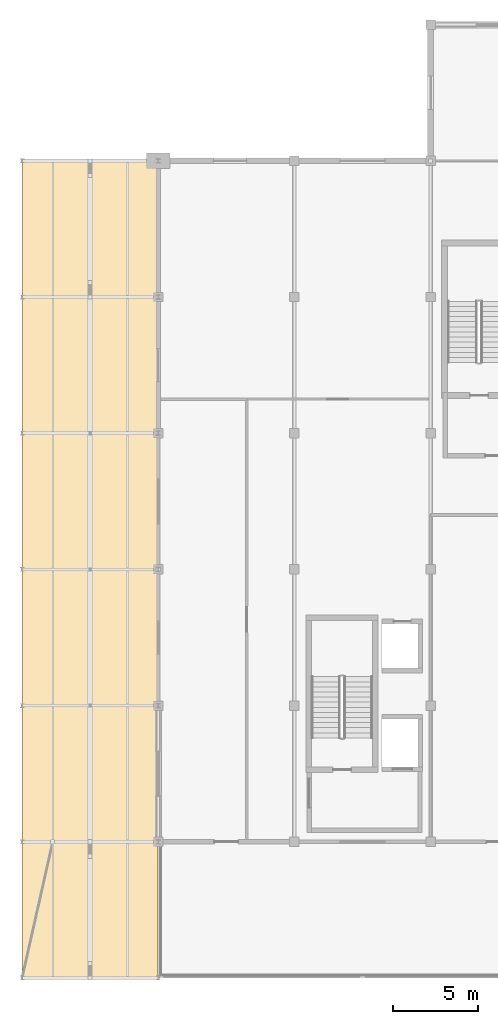
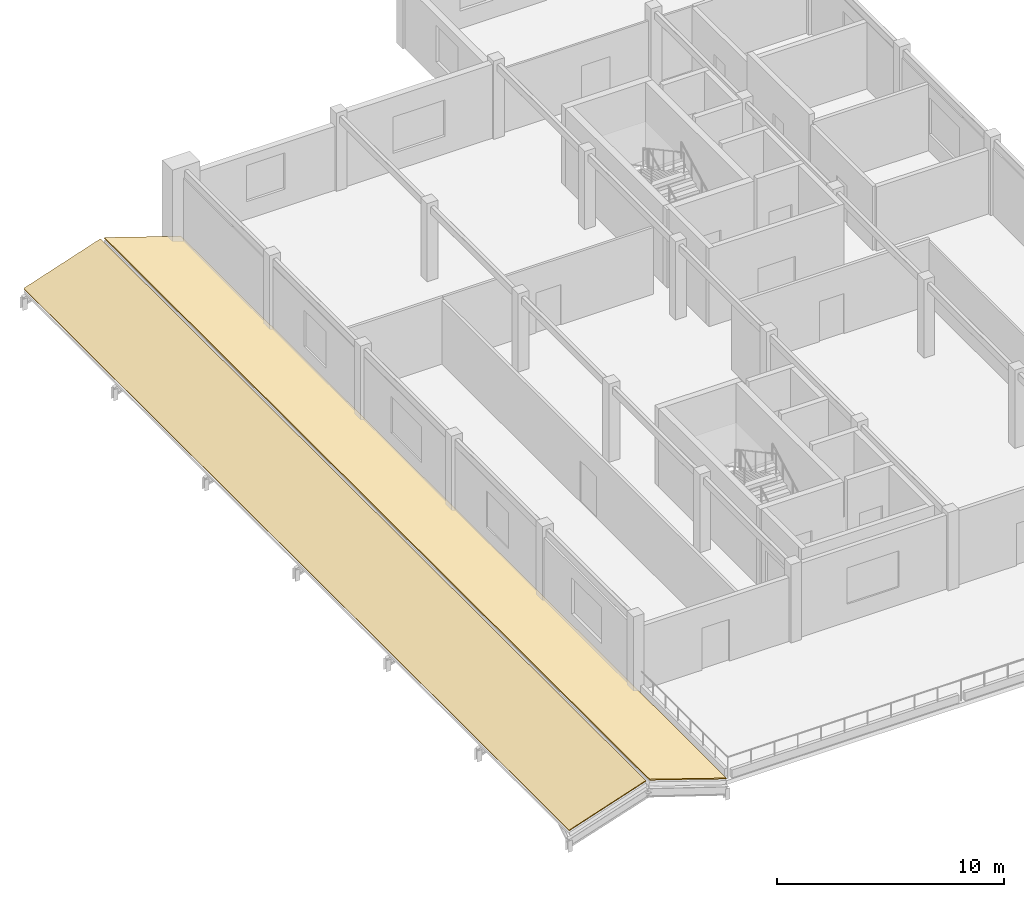
# One storey, part 8 of 9: 2 coverings.
"""IFC4 building model written with IfcOpenShell, lengths in metres."""

from ifc_helpers import new_model, si_unit, direction, frame, origin, place, context, subcontext, project, spatial, polyline, outline, extrude, material, layer, layer_set, type_object, element, save


model = new_model("IFC4")

# Units and contexts
model_context = context("Model", 3, precision=1e-05, world=origin(), true_north=direction((0.0, 1.0)))
body_context = subcontext(model_context, "Body", "Model", "MODEL_VIEW")
ifc_project = project(units=[si_unit("LENGTHUNIT", "METRE"), si_unit("AREAUNIT", "SQUARE_METRE"), si_unit("VOLUMEUNIT", "CUBIC_METRE"), si_unit("PLANEANGLEUNIT", "RADIAN"), si_unit("MASSUNIT", "GRAM", prefix="KILO")], contexts=[model_context])

# Site, building, storey
site_placement = place(None, origin())
site = spatial("IfcSite", under=ifc_project, at=site_placement, CompositionType="ELEMENT")
building_placement = place(site_placement, origin())
building = spatial("IfcBuilding", under=site, at=building_placement, Name="Kenh Van Central Station", CompositionType="ELEMENT")
storey_placement = place(building_placement, frame((0.0, 0.0, 23.39990234375)))
storey = spatial("IfcBuildingStorey", under=building, at=storey_placement, Name="L05", CompositionType="ELEMENT", Elevation=23.39990234375)

# Coverings
ifc_material_1 = material(Name="Standing-seam zinc-aluminium roofing", Category="aluminium")
ifc_layer_1 = layer(ifc_material_1, 0.044921875, Name="Standing-seam zinc-aluminium roofing")
ifc_layer_set_1 = layer_set([ifc_layer_1], Name="Standing-seam zinc-aluminium roofing")
covering_type_1 = type_object("IfcCoveringType", Name="COV-ROOF-SEAM", PredefinedType="ROOFING", material=ifc_layer_set_1)
covering_1_placement = place(storey_placement, frame((136.0, 16.0, 0.14013671875), z_axis=(-0.316245582614, 0.0, 0.948677358999), x_axis=(0.948677358999, 0.0, 0.316245582614)))
element("IfcCovering", 1, at=covering_1_placement, inside=storey, type_object=covering_type_1, Name="L05 pitched roof covering 17", PredefinedType="ROOFING", context=body_context, shape_type="SweptSolid", body=[
    extrude(outline(polyline([(0.0, 0.0), (4.110883754899416, 0.0), (4.110883754899416, 48.0), (0.0, 48.0), (0.0, 0.0)])), origin(), (0.0, 0.0, -1.0), 0.044921875),
])
ifc_material_2 = material(Name="Glazed terracotta roof tile", Category="masonry")
ifc_layer_2 = layer(ifc_material_2, 0.054931640625, Name="Glazed terracotta roof tile")
ifc_layer_set_2 = layer_set([ifc_layer_2], Name="Glazed terracotta roof tile")
covering_type_2 = type_object("IfcCoveringType", Name="COV-ROOF-TERRA", PredefinedType="ROOFING", material=ifc_layer_set_2)
covering_2_placement = place(storey_placement, frame((140.10009765625, 16.0, 1.440185546875), z_axis=(0.316245582614, 0.0, 0.948677358999), x_axis=(0.948677358999, 0.0, -0.316245582614)))
element("IfcCovering", 2, at=covering_2_placement, inside=storey, type_object=covering_type_2, Name="L05 pitched roof covering 18", PredefinedType="ROOFING", context=body_context, shape_type="SweptSolid", body=[
    extrude(outline(polyline([(0.0, 0.0), (4.110883754899416, 0.0), (4.110883754899416, 48.0), (0.0, 48.0), (0.0, 0.0)])), origin(), (0.0, 0.0, -1.0), 0.054931640625),
])

save(model, "model.ifc")
